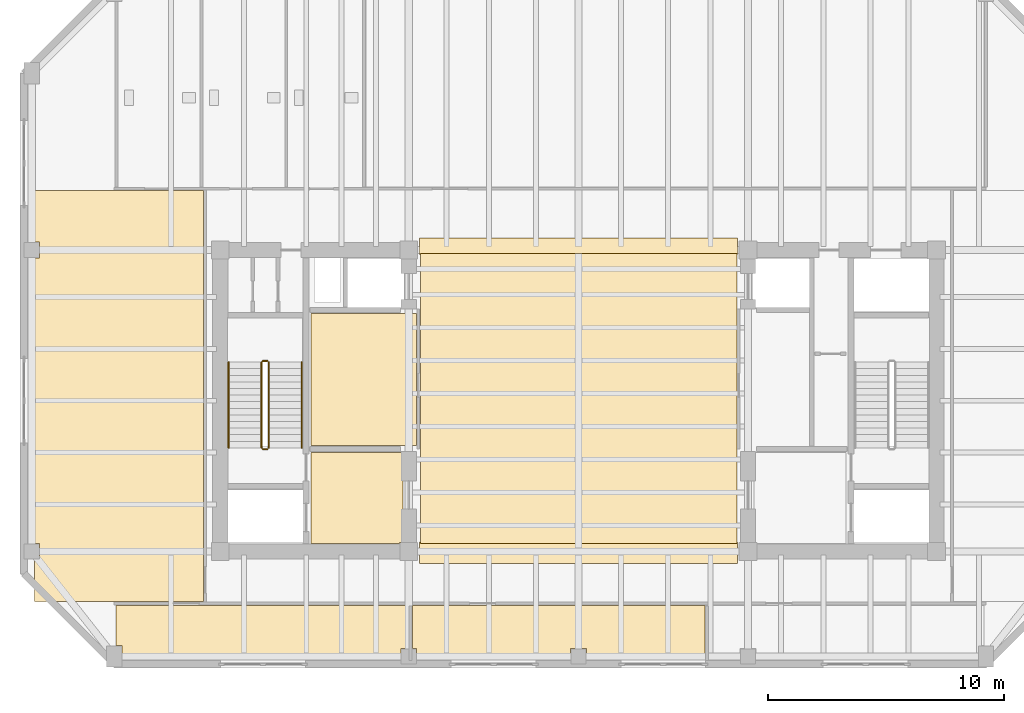
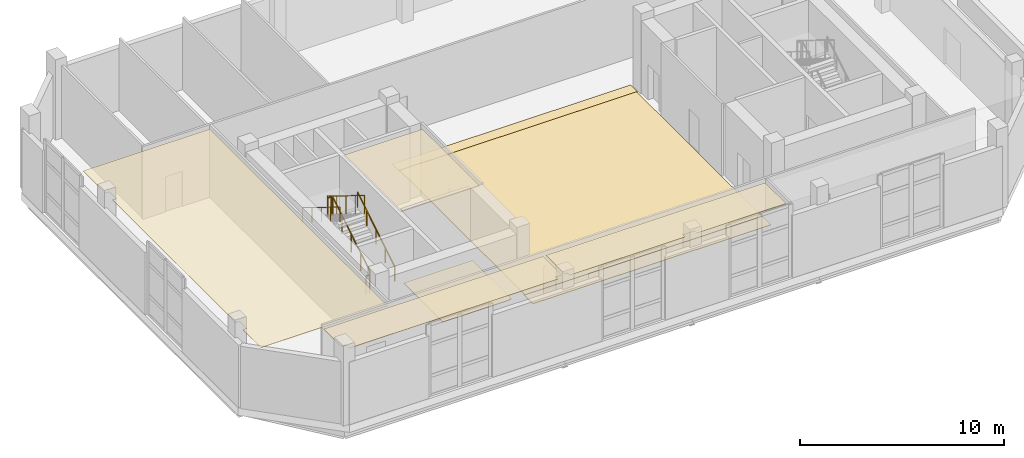
# One storey, part 8 of 11: 8 coverings, 6 railings.
"""IFC4 building model written with IfcOpenShell, lengths in metres."""

from ifc_helpers import new_model, si_unit, direction, frame, origin, origin_2d, place, context, subcontext, project, spatial, polyline, circle, outline, extrude, material, layer, layer_set, type_object, element, save


model = new_model("IFC4")

# Units and contexts
model_context = context("Model", 3, precision=1e-05, world=origin(), true_north=direction((0.0, 1.0)))
body_context = subcontext(model_context, "Body", "Model", "MODEL_VIEW")
ifc_project = project(units=[si_unit("LENGTHUNIT", "METRE"), si_unit("AREAUNIT", "SQUARE_METRE"), si_unit("VOLUMEUNIT", "CUBIC_METRE"), si_unit("PLANEANGLEUNIT", "RADIAN"), si_unit("MASSUNIT", "GRAM", prefix="KILO")], contexts=[model_context])

# Site, building, storey
site_placement = place(None, origin())
site = spatial("IfcSite", under=ifc_project, at=site_placement, CompositionType="ELEMENT")
building_placement = place(site_placement, origin())
building = spatial("IfcBuilding", under=site, at=building_placement, Name="Kranthara Brick Stack", CompositionType="ELEMENT")
storey_placement = place(building_placement, frame((0.0, 0.0, 287.39990234375)))
storey = spatial("IfcBuildingStorey", under=building, at=storey_placement, Name="L76", CompositionType="ELEMENT", Elevation=287.39990234375)

# Coverings
ifc_material_1 = material(Name="Perforated mineral-fibre acoustic ceiling tile", Category="other")
ifc_layer_1 = layer(ifc_material_1, 0.02490234375)
ifc_layer_set_1 = layer_set([ifc_layer_1], Name="Perforated mineral-fibre acoustic ceiling tile")
covering_type_1 = type_object("IfcCoveringType", Name="COV-CEIL-ACOUSTIC", PredefinedType="CEILING", material=ifc_layer_set_1)
covering_1_placement = place(storey_placement, frame((0.0, 0.0, 4.080078125)))
element("IfcCovering", 1, at=covering_1_placement, inside=storey, type_object=covering_type_1, Name="L76 Sky Pool West Wellness Spa Suite Acoustic Ceiling", PredefinedType="CEILING", context=body_context, shape_type="SweptSolid", body=[
    extrude(outline(polyline([(21.1201171875, 25.300048828125), (21.1201171875, 30.89990234375), (16.64990234375, 30.89990234375), (16.64990234375, 25.300048828125), (21.1201171875, 25.300048828125)])), origin(), (0.0, 0.0, 1.0), 0.02490234375),
])
covering_2_placement = place(storey_placement, frame((0.0, 0.0, 4.080078125)))
element("IfcCovering", 2, at=covering_2_placement, inside=storey, type_object=covering_type_1, Name="L76 L76 Sky Pool Cabana Salon 1 Acoustic Ceiling", PredefinedType="CEILING", context=body_context, shape_type="SweptSolid", body=[
    extrude(outline(polyline([(20.800048828125, 18.52001953125), (20.800048828125, 16.68505859375), (20.465087890625, 16.68505859375), (20.465087890625, 16.469970703125), (8.635009765625, 16.469970703125), (8.635009765625, 16.81005859375), (8.3798828125, 16.81005859375), (8.3798828125, 18.52001953125), (20.800048828125, 18.52001953125)])), origin(), (0.0, 0.0, 1.0), 0.02490234375),
])
covering_3_placement = place(storey_placement, frame((0.0, 0.0, 4.080078125)))
element("IfcCovering", 3, at=covering_3_placement, inside=storey, type_object=covering_type_1, Name="L76 L76 Sky Pool Cabana Salon 2 Acoustic Ceiling", PredefinedType="CEILING", context=body_context, shape_type="SweptSolid", body=[
    extrude(outline(polyline([(33.3798828125, 18.52001953125), (33.3798828125, 16.469970703125), (28.3349609375, 16.469970703125), (28.3349609375, 16.68505859375), (27.6650390625, 16.68505859375), (27.6650390625, 16.469970703125), (21.135009765625, 16.469970703125), (21.135009765625, 16.68505859375), (20.9599609375, 16.68505859375), (20.9599609375, 18.52001953125), (33.3798828125, 18.52001953125)])), origin(), (0.0, 0.0, 1.0), 0.02490234375),
])
covering_4_placement = place(storey_placement, frame((0.0, 0.0, 4.080078125)))
element("IfcCovering", 4, at=covering_4_placement, inside=storey, type_object=covering_type_1, Name="L76 L76 West Reception Concierge Acoustic Ceiling", PredefinedType="CEILING", context=body_context, shape_type="SweptSolid", body=[
    extrude(outline(polyline([(12.080078125, 36.1201171875), (12.080078125, 18.679931640625), (4.919921875, 18.679931640625), (4.919921875, 20.465087890625), (5.135009765625, 20.465087890625), (5.135009765625, 21.135009765625), (4.919921875, 21.135009765625), (4.919921875, 33.264892578125), (5.135009765625, 33.264892578125), (5.135009765625, 33.93505859375), (4.919921875, 33.93505859375), (4.919921875, 36.1201171875), (12.080078125, 36.1201171875)])), origin(), (0.0, 0.0, 1.0), 0.02490234375),
])
ifc_material_2 = material(Name="Honed terrazzo and porcelain floor finish", Category="stone")
ifc_layer_2 = layer(ifc_material_2, 0.030029296875)
ifc_layer_set_2 = layer_set([ifc_layer_2], Name="Honed terrazzo and porcelain floor finish")
covering_type_2 = type_object("IfcCoveringType", Name="COV-FLOR-STONE", PredefinedType="FLOORING", material=ifc_layer_set_2)
covering_5_placement = place(storey_placement, origin())
element("IfcCovering", 5, at=covering_5_placement, inside=storey, type_object=covering_type_2, Name="L76 Lift Lobby Stone Flooring", PredefinedType="FLOORING", context=body_context, shape_type="SweptSolid", body=[
    extrude(outline(polyline([(16.64990234375, 21.14990234375), (16.64990234375, 25.0), (20.550048828125, 25.0), (20.550048828125, 21.18505859375), (20.4150390625, 21.18505859375), (20.4150390625, 21.14990234375), (16.64990234375, 21.14990234375)])), origin(), (0.0, 0.0, 1.0), 0.030029296875),
])
covering_6_placement = place(storey_placement, origin())
element("IfcCovering", 6, at=covering_6_placement, inside=storey, type_object=covering_type_2, Name="L76 Lift Lobby Stone Flooring", PredefinedType="FLOORING", context=body_context, shape_type="SweptSolid", body=[
    extrude(outline(polyline([(34.719970703125, 21.14990234375), (34.719970703125, 33.449951171875), (21.300048828125, 33.449951171875), (21.300048828125, 21.14990234375), (34.719970703125, 21.14990234375)])), origin(), (0.0, 0.0, 1.0), 0.030029296875),
])
covering_7_placement = place(storey_placement, origin())
element("IfcCovering", 7, at=covering_7_placement, inside=storey, type_object=covering_type_2, Name="L76 Lift Lobby Stone Flooring", PredefinedType="FLOORING", context=body_context, shape_type="SweptSolid", body=[
    extrude(outline(polyline([(34.75, 21.199951171875), (34.75, 20.300048828125), (21.25, 20.300048828125), (21.25, 21.199951171875), (21.300048828125, 21.199951171875), (21.300048828125, 21.14990234375), (34.719970703125, 21.14990234375), (34.719970703125, 21.199951171875), (34.75, 21.199951171875)])), origin(), (0.0, 0.0, 1.0), 0.030029296875),
])
covering_8_placement = place(storey_placement, origin())
element("IfcCovering", 8, at=covering_8_placement, inside=storey, type_object=covering_type_2, Name="L76 Lift Lobby Stone Flooring", PredefinedType="FLOORING", context=body_context, shape_type="SweptSolid", body=[
    extrude(outline(polyline([(21.25, 33.39990234375), (21.25, 34.10009765625), (34.75, 34.10009765625), (34.75, 33.39990234375), (34.719970703125, 33.39990234375), (34.719970703125, 33.449951171875), (21.300048828125, 33.449951171875), (21.300048828125, 33.39990234375), (21.25, 33.39990234375)])), origin(), (0.0, 0.0, 1.0), 0.030029296875),
])

# Railings
ifc_material_3 = material(Name="Painted galvanized steel stair guardrail", Category="steel")
railing_type_1 = type_object("IfcRailingType", Name="RL-STAIR-GUARD-1100", PredefinedType="GUARDRAIL", material=ifc_material_3)
railing_1_placement = place(storey_placement, frame((14.85009765625, 25.199951171875, 0.171630859375)))
element("IfcRailing", 9, at=railing_1_placement, inside=storey, type_object=railing_type_1, Name="L76 ST01 stair guard 1", PredefinedType="GUARDRAIL", context=body_context, shape_type="SweptSolid", body=[
    extrude(circle(Radius=0.02392578125, at=origin_2d()), frame((0.0, 0.0, 1.076171875), z_axis=(0.0, 0.852865859571, 0.52213008492), x_axis=(-1.0, 0.0, 0.0)), (0.0, 0.0, 1.0), 4.26806640625),
    extrude(circle(Radius=0.02099609375, at=origin_2d()), origin(), (0.0, 0.0, 1.0), 1.052001953125),
    extrude(circle(Radius=0.02099609375, at=origin_2d()), frame((0.0, 0.91015625, 0.55712890625)), (0.0, 0.0, 1.0), 1.052001953125),
    extrude(circle(Radius=0.02099609375, at=origin_2d()), frame((0.0, 1.820068359375, 1.1142578125)), (0.0, 0.0, 1.0), 1.052001953125),
    extrude(circle(Radius=0.02099609375, at=origin_2d()), frame((0.0, 2.72998046875, 1.67138671875)), (0.0, 0.0, 1.0), 1.052001953125),
    extrude(circle(Radius=0.02099609375, at=origin_2d()), frame((0.0, 3.64013671875, 2.228515625)), (0.0, 0.0, 1.0), 1.052001953125),
])
railing_2_placement = place(storey_placement, frame((14.800048828125, 28.889892578125, 2.400146484375)))
element("IfcRailing", 10, at=railing_2_placement, inside=storey, type_object=railing_type_1, Name="L76 ST01 stair guard 2", PredefinedType="GUARDRAIL", context=body_context, shape_type="SweptSolid", body=[
    extrude(circle(Radius=0.02392578125, at=origin_2d()), frame((0.0, 0.0, 1.076171875), z_axis=(-1.0, 0.0, 0.0), x_axis=(0.0, -1.0, 0.0)), (0.0, 0.0, 1.0), 0.199951171875),
    extrude(circle(Radius=0.02099609375, at=origin_2d()), origin(), (0.0, 0.0, 1.0), 1.052001953125),
    extrude(circle(Radius=0.02099609375, at=origin_2d()), frame((-0.199951171875, 0.0, 0.0)), (0.0, 0.0, 1.0), 1.052001953125),
])
railing_3_placement = place(storey_placement, frame((14.550048828125, 28.840087890625, 2.571533203125)))
element("IfcRailing", 11, at=railing_3_placement, inside=storey, type_object=railing_type_1, Name="L76 ST01 stair guard 3", PredefinedType="GUARDRAIL", context=body_context, shape_type="SweptSolid", body=[
    extrude(circle(Radius=0.02392578125, at=origin_2d()), frame((0.0, 0.0, 1.076171875), z_axis=(0.0, -0.852865859571, 0.52213008492), x_axis=(1.0, 0.0, 0.0)), (0.0, 0.0, 1.0), 4.26806640625),
    extrude(circle(Radius=0.02099609375, at=origin_2d()), origin(), (0.0, 0.0, 1.0), 1.052001953125),
    extrude(circle(Radius=0.02099609375, at=origin_2d()), frame((0.0, -0.91015625, 0.55712890625)), (0.0, 0.0, 1.0), 1.052001953125),
    extrude(circle(Radius=0.02099609375, at=origin_2d()), frame((0.0, -1.820068359375, 1.1142578125)), (0.0, 0.0, 1.0), 1.052001953125),
    extrude(circle(Radius=0.02099609375, at=origin_2d()), frame((0.0, -2.72998046875, 1.67138671875)), (0.0, 0.0, 1.0), 1.052001953125),
    extrude(circle(Radius=0.02099609375, at=origin_2d()), frame((0.0, -3.64013671875, 2.228515625)), (0.0, 0.0, 1.0), 1.052001953125),
])
railing_4_placement = place(storey_placement, frame((14.800048828125, 25.14990234375, 0.0)))
element("IfcRailing", 12, at=railing_4_placement, inside=storey, type_object=railing_type_1, Name="L76 ST01 stair guard 4", PredefinedType="GUARDRAIL", context=body_context, shape_type="SweptSolid", body=[
    extrude(circle(Radius=0.02392578125, at=origin_2d()), frame((0.0, 0.0, 1.076171875), z_axis=(-1.0, 0.0, 0.0), x_axis=(0.0, -1.0, 0.0)), (0.0, 0.0, 1.0), 0.199951171875),
    extrude(circle(Radius=0.02099609375, at=origin_2d()), origin(), (0.0, 0.0, 1.0), 1.052001953125),
    extrude(circle(Radius=0.02099609375, at=origin_2d()), frame((-0.199951171875, 0.0, 0.0)), (0.0, 0.0, 1.0), 1.052001953125),
])
ifc_material_4 = material(Name="Brushed stainless steel tubular handrail", Category="steel")
railing_type_2 = type_object("IfcRailingType", Name="RL-STAIR-HAND-900", PredefinedType="HANDRAIL", material=ifc_material_4)
railing_5_placement = place(storey_placement, frame((16.25, 25.199951171875, 0.171630859375)))
element("IfcRailing", 13, at=railing_5_placement, inside=storey, type_object=railing_type_2, Name="L76 ST01 stair handrail 1", PredefinedType="HANDRAIL", context=body_context, shape_type="SweptSolid", body=[
    extrude(circle(Radius=0.02392578125, at=origin_2d()), frame((0.0, 0.0, 0.8759765625), z_axis=(0.0, 0.852865859571, 0.52213008492), x_axis=(-1.0, 0.0, 0.0)), (0.0, 0.0, 1.0), 4.26806640625),
    extrude(circle(Radius=0.02099609375, at=origin_2d()), origin(), (0.0, 0.0, 1.0), 0.851806640625),
    extrude(circle(Radius=0.02099609375, at=origin_2d()), frame((0.0, 0.91015625, 0.55712890625)), (0.0, 0.0, 1.0), 0.851806640625),
    extrude(circle(Radius=0.02099609375, at=origin_2d()), frame((0.0, 1.820068359375, 1.1142578125)), (0.0, 0.0, 1.0), 0.851806640625),
    extrude(circle(Radius=0.02099609375, at=origin_2d()), frame((0.0, 2.72998046875, 1.67138671875)), (0.0, 0.0, 1.0), 0.851806640625),
    extrude(circle(Radius=0.02099609375, at=origin_2d()), frame((0.0, 3.64013671875, 2.228515625)), (0.0, 0.0, 1.0), 0.851806640625),
])
railing_6_placement = place(storey_placement, frame((13.14990234375, 28.840087890625, 2.571533203125)))
element("IfcRailing", 14, at=railing_6_placement, inside=storey, type_object=railing_type_2, Name="L76 ST01 stair handrail 2", PredefinedType="HANDRAIL", context=body_context, shape_type="SweptSolid", body=[
    extrude(circle(Radius=0.02392578125, at=origin_2d()), frame((0.0, 0.0, 0.8759765625), z_axis=(0.0, -0.852865859571, 0.52213008492), x_axis=(1.0, 0.0, 0.0)), (0.0, 0.0, 1.0), 4.26806640625),
    extrude(circle(Radius=0.02099609375, at=origin_2d()), origin(), (0.0, 0.0, 1.0), 0.851806640625),
    extrude(circle(Radius=0.02099609375, at=origin_2d()), frame((0.0, -0.91015625, 0.55712890625)), (0.0, 0.0, 1.0), 0.851806640625),
    extrude(circle(Radius=0.02099609375, at=origin_2d()), frame((0.0, -1.820068359375, 1.1142578125)), (0.0, 0.0, 1.0), 0.851806640625),
    extrude(circle(Radius=0.02099609375, at=origin_2d()), frame((0.0, -2.72998046875, 1.67138671875)), (0.0, 0.0, 1.0), 0.851806640625),
    extrude(circle(Radius=0.02099609375, at=origin_2d()), frame((0.0, -3.64013671875, 2.228515625)), (0.0, 0.0, 1.0), 0.851806640625),
])

save(model, "model.ifc")
